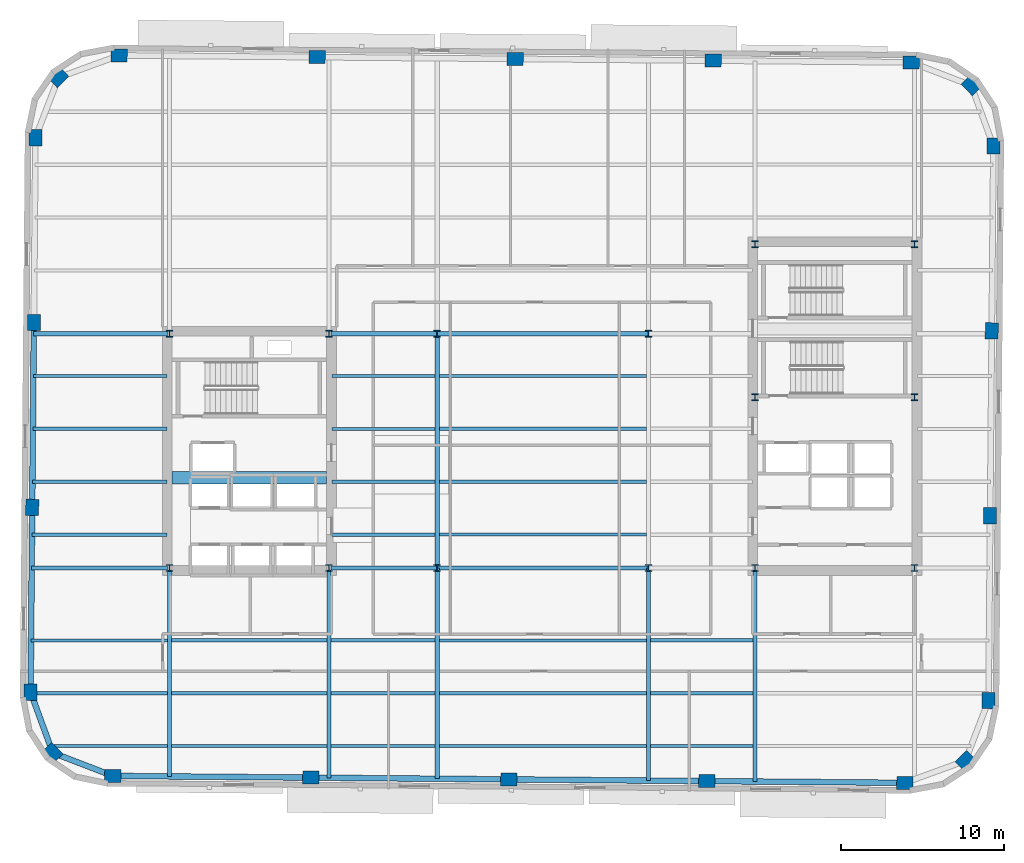
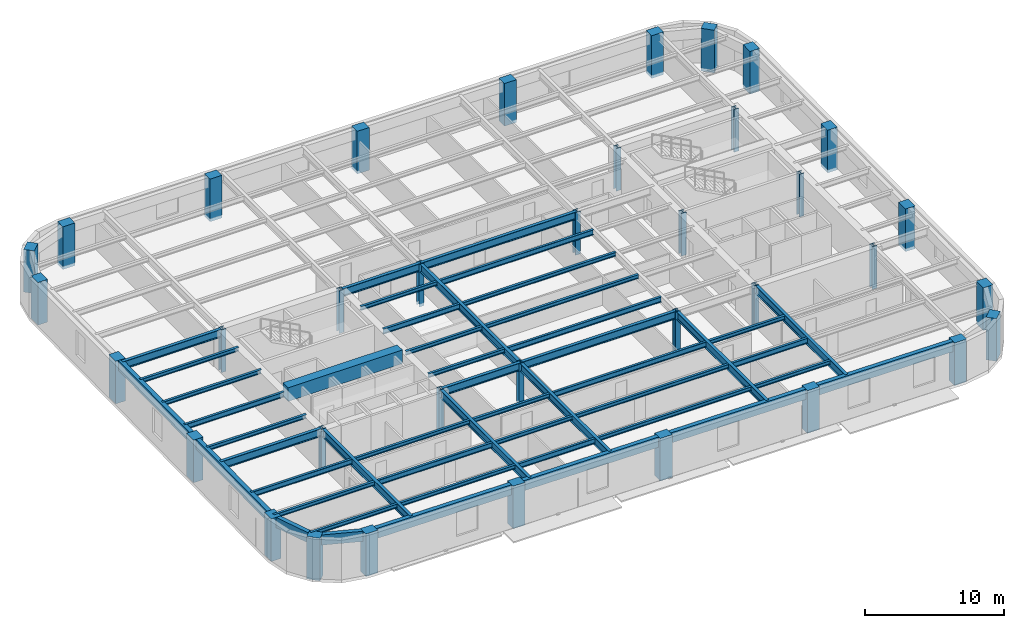
# One storey, part 1 of 11: 48 beams, 36 columns.
"""IFC4 building model written with IfcOpenShell, lengths in metres."""

import ifcopenshell
import ifcopenshell.guid

model = None  # the IFC model being written
_history = None  # IfcOwnerHistory: only IFC2X3 demands one
_inside = {}  # id of a spatial element -> (the spatial element, [elements in it])
_under = {}  # id of a project, library or spatial element -> (it, [spatial elements below it])
_declared = {}  # id of a project -> (the project, [libraries it declares])
_typed = {}  # id of a type object -> (the type object, [elements of that type])
_made_of = {}  # id of a material, layer set ... -> (it, [elements and type objects made of it])


def new_model(schema):
    """Start an empty IFC model of exactly this schema.

    Asked for "IFC4X3", IfcOpenShell would pick the latest addendum, in which some entities
    have other attributes; the version numbers below select the first issue.
    IFC2X3 requires an IfcOwnerHistory on every rooted entity: one is made here for all.
    """
    global model, _history
    if schema == "IFC4X3":
        model = ifcopenshell.file(schema_version=(4, 3, 0, 0))
    else:
        model = ifcopenshell.file(schema=schema)
    _inside.clear()
    _under.clear()
    _declared.clear()
    _typed.clear()
    _made_of.clear()
    _history = None
    if model.schema == "IFC2X3":
        org = make("IfcOrganization", Name="unknown")
        user = make(
            "IfcPersonAndOrganization",
            ThePerson=make("IfcPerson", FamilyName="unknown"),
            TheOrganization=org,
        )
        app = make(
            "IfcApplication",
            ApplicationDeveloper=org,
            Version="unknown",
            ApplicationFullName="unknown",
            ApplicationIdentifier="unknown",
        )
        _history = make(
            "IfcOwnerHistory",
            OwningUser=user,
            OwningApplication=app,
            ChangeAction="ADDED",
            CreationDate=0,
        )
    return model


def make(cls, **values):
    """One entity of the class cls with the attributes given. An attribute that is None is left unset."""
    return model.create_entity(
        cls, **{name: value for name, value in values.items() if value is not None}
    )


def rooted(cls, **values):
    """An entity with a GlobalId (a new one), such as an element, a storey or a relation."""
    return make(cls, GlobalId=ifcopenshell.guid.new(), OwnerHistory=_history, **values)


def si_unit(unit_type, name, prefix=None):
    """IfcSIUnit, for example si_unit("LENGTHUNIT", "METRE", prefix="MILLI")."""
    return make("IfcSIUnit", UnitType=unit_type, Prefix=prefix, Name=name)


def assignment(units):
    """IfcUnitAssignment: the units of a project."""
    return None if units is None else make("IfcUnitAssignment", Units=units)


def point(xyz):
    """IfcCartesianPoint."""
    return None if xyz is None else make("IfcCartesianPoint", Coordinates=xyz)


def direction(xyz):
    """IfcDirection."""
    return None if xyz is None else make("IfcDirection", DirectionRatios=xyz)


def frame(location, z_axis=None, x_axis=None):
    """IfcAxis2Placement3D, a coordinate frame: its origin and axes. An axis left out is left unset."""
    return make(
        "IfcAxis2Placement3D",
        Location=point(location),
        Axis=direction(z_axis),
        RefDirection=direction(x_axis),
    )


def frame_2d(location, x_axis=None):
    """IfcAxis2Placement2D, a coordinate frame in the plane: its origin and x axis."""
    return make(
        "IfcAxis2Placement2D", Location=point(location), RefDirection=direction(x_axis)
    )


def origin():
    """The frame at (0, 0, 0) with its axes left unset."""
    return frame((0.0, 0.0, 0.0))


def origin_2d():
    """The frame at (0, 0) in the plane with its x axis left unset."""
    return frame_2d((0.0, 0.0))


def place(relative_to, where):
    """IfcLocalPlacement: puts the frame where relative to a parent placement (None: the world)."""
    return make(
        "IfcLocalPlacement", PlacementRelTo=relative_to, RelativePlacement=where
    )


def context(
    kind, dimensions, precision=None, world=None, true_north=None, identifier=None
):
    """IfcGeometricRepresentationContext, for example the 3D "Model" context."""
    return make(
        "IfcGeometricRepresentationContext",
        ContextIdentifier=identifier,
        ContextType=kind,
        CoordinateSpaceDimension=dimensions,
        Precision=precision,
        WorldCoordinateSystem=world,
        TrueNorth=true_north,
    )


def subcontext(parent, identifier, kind, view, scale=None):
    """IfcGeometricRepresentationSubContext, for example "Body" below "Model"."""
    return make(
        "IfcGeometricRepresentationSubContext",
        ContextIdentifier=identifier,
        ContextType=kind,
        ParentContext=parent,
        TargetScale=scale,
        TargetView=view,
    )


def project(units=None, contexts=None):
    """IfcProject with its units and contexts."""
    return rooted(
        "IfcProject",
        Name="project",
        RepresentationContexts=contexts,
        UnitsInContext=assignment(units),
    )


def spatial(cls, under=None, at=None, **own):
    """A site, building, storey or space (cls), placed at a placement, below another one or the project."""
    s = rooted(cls, ObjectPlacement=at, **own)
    if under is not None:
        _under.setdefault(under.id(), (under, []))[1].append(s)
    return s


def profile(cls, at=None, kind="AREA", **sizes):
    """A parametric profile (cls). Its sizes go by their IFC names, for example OverallWidth=200.0."""
    return make(cls, ProfileType=kind, Position=at, **sizes)


def rectangle(**sizes):
    """IfcRectangleProfileDef."""
    return profile("IfcRectangleProfileDef", **sizes)


def hollow_rectangle(**sizes):
    """IfcRectangleHollowProfileDef."""
    return profile("IfcRectangleHollowProfileDef", **sizes)


def i_section(**sizes):
    """IfcIShapeProfileDef."""
    return profile("IfcIShapeProfileDef", **sizes)


def extrude(swept, where, along, depth):
    """IfcExtrudedAreaSolid: the profile swept, set in the frame where, extruded along a direction by depth."""
    return make(
        "IfcExtrudedAreaSolid",
        SweptArea=swept,
        Position=where,
        ExtrudedDirection=direction(along),
        Depth=depth,
    )


def shape(context_of_items, identifier, shape_type, items):
    """IfcShapeRepresentation: the items that make up one representation, for example the "Body"."""
    return make(
        "IfcShapeRepresentation",
        ContextOfItems=context_of_items,
        RepresentationIdentifier=identifier,
        RepresentationType=shape_type,
        Items=items,
    )


def material(Name=None, Category=None):
    """IfcMaterial."""
    return make("IfcMaterial", Name=Name, Category=Category)


def material_profile(
    of_material, cross_section, Name=None, Category=None, Priority=None
):
    """IfcMaterialProfile: a cross section and its material."""
    return make(
        "IfcMaterialProfile",
        Name=Name,
        Material=of_material,
        Profile=cross_section,
        Priority=Priority,
        Category=Category,
    )


def profile_set(profiles, Name=None, composite=None):
    """IfcMaterialProfileSet."""
    return make(
        "IfcMaterialProfileSet",
        Name=Name,
        MaterialProfiles=profiles,
        CompositeProfile=composite,
    )


def made_of(thing, what):
    """Note that an element or type object is made of a material, layer set ...; save() writes the relation."""
    if what is not None:
        _made_of.setdefault(what.id(), (what, []))[1].append(thing)
    return thing


def type_object(cls, material=None, **own):
    """A type object (cls), such as IfcWallType, which elements share."""
    return made_of(rooted(cls, **own), material)


def element(
    cls,
    number,
    at=None,
    inside=None,
    cuts=None,
    type_object=None,
    material=None,
    context=None,
    identifier="Body",
    shape_type=None,
    held_by="IfcProductDefinitionShape",
    body=None,
    shapes=None,
    **own,
):
    """One element of the class cls, such as IfcWall. Its Tag is "e" and its number.

    at: its placement. inside: the storey or other place that contains it. cuts: it is an
    opening in that element (IfcRelVoidsElement). A single representation is given by context,
    identifier, shape_type and body (its items); several are given by shapes. held_by: the class
    of the entity that holds the representations. save() writes the other relations.
    """
    e = rooted(cls, Tag="e%d" % number, ObjectPlacement=at, **own)
    if body is not None:
        shapes = [shape(context, identifier, shape_type, body)]
    if shapes is not None:
        e.Representation = make(held_by, Representations=shapes)
    if inside is not None:
        _inside.setdefault(inside.id(), (inside, []))[1].append(e)
    if cuts is not None:
        rooted(
            "IfcRelVoidsElement", RelatingBuildingElement=cuts, RelatedOpeningElement=e
        )
    if type_object is not None:
        _typed.setdefault(type_object.id(), (type_object, []))[1].append(e)
    return made_of(e, material)


def aggregate(whole, parts):
    """IfcRelAggregates: a whole, such as a stair, and the parts it consists of."""
    return rooted("IfcRelAggregates", RelatingObject=whole, RelatedObjects=parts)


def save(model, path):
    """Write the relations noted so far, then the file.

    IfcRelAggregates (storeys below a building ...), IfcRelContainedInSpatialStructure (elements
    in a storey), IfcRelDefinesByType, IfcRelAssociatesMaterial and IfcRelDeclares: one each for
    every whole, place, type object, material and project.
    """
    for whole, parts in _under.values():
        aggregate(whole, parts)
    for where, things in _inside.values():
        rooted(
            "IfcRelContainedInSpatialStructure",
            RelatedElements=things,
            RelatingStructure=where,
        )
    for kind, things in _typed.values():
        rooted("IfcRelDefinesByType", RelatedObjects=things, RelatingType=kind)
    for what, things in _made_of.values():
        rooted("IfcRelAssociatesMaterial", RelatedObjects=things, RelatingMaterial=what)
    for by, libraries in _declared.values():
        rooted("IfcRelDeclares", RelatingContext=by, RelatedDefinitions=libraries)
    model.write(path)


model = new_model("IFC4")

# Units and contexts
model_context = context("Model", 3, precision=1e-05, world=origin(), true_north=direction((0.0, 1.0)))
body_context = subcontext(model_context, "Body", "Model", "MODEL_VIEW")
ifc_project = project(units=[si_unit("LENGTHUNIT", "METRE"), si_unit("AREAUNIT", "SQUARE_METRE"), si_unit("VOLUMEUNIT", "CUBIC_METRE"), si_unit("PLANEANGLEUNIT", "RADIAN"), si_unit("MASSUNIT", "GRAM", prefix="KILO")], contexts=[model_context])

# Site, building, storey
site_placement = place(None, origin())
site = spatial("IfcSite", under=ifc_project, at=site_placement, CompositionType="ELEMENT")
building_placement = place(site_placement, origin())
building = spatial("IfcBuilding", under=site, at=building_placement, Name="Kolvaren Arena Tower", CompositionType="ELEMENT")
storey_placement = place(building_placement, frame((0.0, 0.0, 169.699951171875)))
storey = spatial("IfcBuildingStorey", under=building, at=storey_placement, Name="L40", CompositionType="ELEMENT", Elevation=169.699951171875)

# Columns
ifc_material_1 = material(Name="Precast concrete C60/75", Category="concrete")
ifc_material_profile_1 = material_profile(ifc_material_1, rectangle(XDim=1.0, YDim=0.800048828125, at=origin_2d()), Name="RC-1000x800")
ifc_profile_set_1 = profile_set([ifc_material_profile_1], Name="Precast concrete C60/75")
column_type_1 = type_object("IfcColumnType", Name="EXCOL-Z3", PredefinedType="COLUMN", material=ifc_profile_set_1)
for number, where, z_axis, x_axis, name in (
    (1, (11.0576171875, 6.663330078125, -0.27001953125), (0.0, 0.0, 1.0), (0.999961923064, -0.008726535498, 0.0), "Exoskeleton Perimeter Column 01 (L40)"),
    (2, (23.232177734375, 6.55712890625, -0.27001953125), (0.0, 0.0, 1.0), (0.999961923064, -0.008726535498, 0.0), "Exoskeleton Perimeter Column 02 (L40)"),
    (3, (35.40673828125, 6.45068359375, -0.27001953125), (0.0, 0.0, 1.0), (0.999961923064, -0.008726535498, 0.0), "Exoskeleton Perimeter Column 03 (L40)"),
    (4, (47.581298828125, 6.344482421875, -0.27001953125), (0.0, 0.0, 1.0), (0.999961923064, -0.008726535498, 0.0), "Exoskeleton Perimeter Column 04 (L40)"),
    (5, (59.755859375, 6.23828125, -0.27001953125), (0.0, 0.0, 1.0), (0.999961923064, -0.008726535498, 0.0), "Exoskeleton Perimeter Column 05 (L40)"),
    (6, (63.4765625, 7.59716796875, -0.27001953125), (0.0, 0.0, 1.0), (0.713250449154, 0.7009092643, 0.0), "Exoskeleton Perimeter Column 06 (L40)"),
    (7, (64.900146484375, 11.293701171875, -0.27001953125), (0.0, 0.0, 1.0), (0.008726535498, 0.999961923064, 0.0), "Exoskeleton Perimeter Column 07 (L40)"),
    (8, (64.999267578125, 22.659912109375, -0.27001953125), (0.0, 0.0, 1.0), (0.008726535498, 0.999961923064, 0.0), "Exoskeleton Perimeter Column 08 (L40)"),
    (9, (65.098388671875, 34.026123046875, -0.27001953125), (0.0, 0.0, 1.0), (0.008726535498, 0.999961923064, 0.0), "Exoskeleton Perimeter Column 09 (L40)"),
    (10, (65.19775390625, 45.392333984375, -0.27001953125), (0.0, 0.0, 1.0), (0.008726535498, 0.999961923064, 0.0), "Exoskeleton Perimeter Column 10 (L40)"),
    (11, (63.8388671875, 49.113037109375, -0.27001953125), (0.0, 0.0, 1.0), (-0.7009092643, 0.713250449154, 0.0), "Exoskeleton Perimeter Column 11 (L40)"),
    (12, (60.142333984375, 50.53662109375, -0.27001953125), (0.0, 0.0, 1.0), (0.999961923064, -0.008726535498, 0.0), "Exoskeleton Perimeter Column 12 (L40)"),
    (13, (47.9677734375, 50.642822265625, -0.27001953125), (0.0, 0.0, 1.0), (0.999961923064, -0.008726535498, 0.0), "Exoskeleton Perimeter Column 13 (L40)"),
    (14, (35.793212890625, 50.749267578125, -0.27001953125), (0.0, 0.0, 1.0), (0.999961923064, -0.008726535498, 0.0), "Exoskeleton Perimeter Column 14 (L40)"),
    (15, (23.618896484375, 50.85546875, -0.27001953125), (0.0, 0.0, 1.0), (0.999961923064, -0.008726535498, 0.0), "Exoskeleton Perimeter Column 15 (L40)"),
    (16, (11.444091796875, 50.961669921875, -0.27001953125), (0.0, 0.0, 1.0), (0.999961923064, -0.008726535498, 0.0), "Exoskeleton Perimeter Column 16 (L40)"),
    (17, (7.723388671875, 49.602783203125, -0.27001953125), (0.0, 0.0, 1.0), (0.713250449154, 0.7009092643, 0.0), "Exoskeleton Perimeter Column 17 (L40)"),
    (18, (6.2998046875, 45.90625, -0.27001953125), (0.0, 0.0, 1.0), (0.008726535498, 0.999961923064, 0.0), "Exoskeleton Perimeter Column 18 (L40)"),
    (19, (6.20068359375, 34.5400390625, -0.27001953125), (0.0, 0.0, 1.0), (0.008726535498, 0.999961923064, 0.0), "Exoskeleton Perimeter Column 19 (L40)"),
    (20, (6.1015625, 23.173828125, -0.27001953125), (0.0, 0.0, 1.0), (0.008726535498, 0.999961923064, 0.0), "Exoskeleton Perimeter Column 20 (L40)"),
    (21, (6.002197265625, 11.8076171875, -0.27001953125), (0.0, 0.0, 1.0), (0.008726535498, 0.999961923064, 0.0), "Exoskeleton Perimeter Column 21 (L40)"),
    (22, (7.361083984375, 8.0869140625, -0.27001953125), (0.0, 0.0, 1.0), (-0.7009092643, 0.713250449154, 0.0), "Exoskeleton Perimeter Column 22 (L40)"),
):
    element("IfcColumn", number, at=place(storey_placement, frame(where, z_axis=z_axis, x_axis=x_axis)), inside=storey, type_object=column_type_1, Name=name, PredefinedType="COLUMN", context=body_context, shape_type="SweptSolid", body=[
        extrude(rectangle(XDim=1.0, YDim=0.800048828125, at=origin_2d()), origin(), (0.0, 0.0, 1.0), 3.75),
    ])
ifc_material_2 = material(Name="Steel ASTM A913 Grade 65", Category="steel")
ifc_material_profile_2 = material_profile(ifc_material_2, i_section(OverallWidth=0.406005859375, OverallDepth=0.416015625, WebThickness=0.02978515625, FlangeThickness=0.048095703125, FilletRadius=0.02001953125, at=origin_2d()), Name="W360x382")
ifc_profile_set_2 = profile_set([ifc_material_profile_2], Name="Steel ASTM A913 Grade 65")
column_type_2 = type_object("IfcColumnType", Name="SCOL-Z3", PredefinedType="COLUMN", material=ifc_profile_set_2)
for number, where, z_axis, x_axis, name in (
    (23, (14.550048828125, 19.449951171875, -0.27001953125), (0.0, 0.0, 1.0), (1.0, 0.0, 0.0), "Core Boundary Column WC-SW (L40)"),
    (24, (24.35009765625, 19.449951171875, -0.27001953125), (0.0, 0.0, 1.0), (1.0, 0.0, 0.0), "Core Boundary Column WC-SE (L40)"),
    (25, (14.550048828125, 33.85009765625, -0.27001953125), (0.0, 0.0, 1.0), (1.0, 0.0, 0.0), "Core Boundary Column WC-NW (L40)"),
    (26, (24.35009765625, 33.85009765625, -0.27001953125), (0.0, 0.0, 1.0), (1.0, 0.0, 0.0), "Core Boundary Column WC-NE (L40)"),
    (27, (50.550048828125, 19.449951171875, -0.27001953125), (0.0, 0.0, 1.0), (1.0, 0.0, 0.0), "Core Boundary Column EC-SW (L40)"),
    (28, (60.35009765625, 19.449951171875, -0.27001953125), (0.0, 0.0, 1.0), (1.0, 0.0, 0.0), "Core Boundary Column EC-SE (L40)"),
    (29, (50.550048828125, 29.949951171875, -0.27001953125), (0.0, 0.0, 1.0), (1.0, 0.0, 0.0), "Core Boundary Column EC-MW (L40)"),
    (30, (60.35009765625, 29.949951171875, -0.27001953125), (0.0, 0.0, 1.0), (1.0, 0.0, 0.0), "Core Boundary Column EC-ME (L40)"),
    (31, (50.550048828125, 39.35009765625, -0.27001953125), (0.0, 0.0, 1.0), (1.0, 0.0, 0.0), "Core Boundary Column EC-NW (L40)"),
    (32, (60.35009765625, 39.35009765625, -0.27001953125), (0.0, 0.0, 1.0), (1.0, 0.0, 0.0), "Core Boundary Column EC-NE (L40)"),
    (33, (31.0, 19.449951171875, -0.27001953125), (0.0, 0.0, 1.0), (1.0, 0.0, 0.0), "Interior Gravity Column TC-SW (L40)"),
    (34, (44.0, 19.449951171875, -0.27001953125), (0.0, 0.0, 1.0), (1.0, 0.0, 0.0), "Interior Gravity Column TC-SE (L40)"),
    (35, (31.0, 33.85009765625, -0.27001953125), (0.0, 0.0, 1.0), (1.0, 0.0, 0.0), "Interior Gravity Column TC-NW (L40)"),
    (36, (44.0, 33.85009765625, -0.27001953125), (0.0, 0.0, 1.0), (1.0, 0.0, 0.0), "Interior Gravity Column TC-NE (L40)"),
):
    element("IfcColumn", number, at=place(storey_placement, frame(where, z_axis=z_axis, x_axis=x_axis)), inside=storey, type_object=column_type_2, Name=name, PredefinedType="COLUMN", context=body_context, shape_type="SweptSolid", body=[
        extrude(i_section(OverallWidth=0.406005859375, OverallDepth=0.416015625, WebThickness=0.02978515625, FlangeThickness=0.048095703125, FilletRadius=0.02001953125, at=origin_2d()), origin(), (0.0, 0.0, 1.0), 3.75),
    ])

# Beams
ifc_material_3 = material(Name="Steel CSA G40.21 350W", Category="steel")
ifc_material_profile_3 = material_profile(ifc_material_3, i_section(OverallWidth=0.193115234375, OverallDepth=0.462890625, WebThickness=0.0107421875, FlangeThickness=0.0205078125, FilletRadius=0.012939453125, at=origin_2d()), Name="W460x113")
ifc_profile_set_3 = profile_set([ifc_material_profile_3], Name="Steel CSA G40.21 350W")
beam_type_1 = type_object("IfcBeamType", Name="BEAM-F2", PredefinedType="BEAM", material=ifc_profile_set_3)
beam_1_placement = place(storey_placement, frame((24.4775390625, 8.5, 3.24853515625), z_axis=(1.0, 0.0, 0.0), x_axis=(0.0, 1.0, 0.0)))
element("IfcBeam", 37, at=beam_1_placement, inside=storey, type_object=beam_type_1, Name="Composite Floor Beam (L40)", PredefinedType="BEAM", context=body_context, shape_type="SweptSolid", body=[
    extrude(i_section(OverallWidth=0.193115234375, OverallDepth=0.462890625, WebThickness=0.0107421875, FlangeThickness=0.0205078125, FilletRadius=0.012939453125, at=origin_2d()), origin(), (0.0, 0.0, 1.0), 6.39501953125),
])
beam_2_placement = place(storey_placement, frame((14.677490234375, 11.75, 3.24853515625), z_axis=(1.0, 0.0, 0.0), x_axis=(0.0, 1.0, 0.0)))
element("IfcBeam", 38, at=beam_2_placement, inside=storey, type_object=beam_type_1, Name="Composite Floor Beam (L40)", PredefinedType="BEAM", context=body_context, shape_type="SweptSolid", body=[
    extrude(i_section(OverallWidth=0.193115234375, OverallDepth=0.462890625, WebThickness=0.0107421875, FlangeThickness=0.0205078125, FilletRadius=0.012939453125, at=origin_2d()), origin(), (0.0, 0.0, 1.0), 9.544921875),
])
beam_3_placement = place(storey_placement, frame((44.12744140625, 11.75, 3.24853515625), z_axis=(1.0, 0.0, 0.0), x_axis=(0.0, 1.0, 0.0)))
element("IfcBeam", 39, at=beam_3_placement, inside=storey, type_object=beam_type_1, Name="Composite Floor Beam (L40)", PredefinedType="BEAM", context=body_context, shape_type="SweptSolid", body=[
    extrude(i_section(OverallWidth=0.193115234375, OverallDepth=0.462890625, WebThickness=0.0107421875, FlangeThickness=0.0205078125, FilletRadius=0.012939453125, at=origin_2d()), origin(), (0.0, 0.0, 1.0), 6.295166015625),
])
beam_4_placement = place(storey_placement, frame((6.0302734375, 15.0, 3.24853515625), z_axis=(1.0, 0.0, 0.0), x_axis=(0.0, 1.0, 0.0)))
element("IfcBeam", 40, at=beam_4_placement, inside=storey, type_object=beam_type_1, Name="Composite Floor Beam (L40)", PredefinedType="BEAM", context=body_context, shape_type="SweptSolid", body=[
    extrude(i_section(OverallWidth=0.193115234375, OverallDepth=0.462890625, WebThickness=0.0107421875, FlangeThickness=0.0205078125, FilletRadius=0.012939453125, at=origin_2d()), origin(), (0.0, 0.0, 1.0), 8.392333984375),
])
for number, where, z_axis, x_axis, name in (
    (41, (31.12744140625, 15.0, 3.24853515625), (1.0, 0.0, 0.0), (0.0, 1.0, 0.0), "Composite Floor Beam (L40)"),
    (42, (31.12744140625, 21.5, 3.24853515625), (1.0, 0.0, 0.0), (0.0, 1.0, 0.0), "Composite Floor Beam (L40)"),
):
    element("IfcBeam", number, at=place(storey_placement, frame(where, z_axis=z_axis, x_axis=x_axis)), inside=storey, type_object=beam_type_1, Name=name, PredefinedType="BEAM", context=body_context, shape_type="SweptSolid", body=[
        extrude(i_section(OverallWidth=0.193115234375, OverallDepth=0.462890625, WebThickness=0.0107421875, FlangeThickness=0.0205078125, FilletRadius=0.012939453125, at=origin_2d()), origin(), (0.0, 0.0, 1.0), 12.7451171875),
    ])
beam_5_placement = place(storey_placement, frame((6.115234375, 24.75, 3.24853515625), z_axis=(1.0, 0.0, 0.0), x_axis=(0.0, 1.0, 0.0)))
element("IfcBeam", 43, at=beam_5_placement, inside=storey, type_object=beam_type_1, Name="Composite Floor Beam (L40)", PredefinedType="BEAM", context=body_context, shape_type="SweptSolid", body=[
    extrude(i_section(OverallWidth=0.193115234375, OverallDepth=0.462890625, WebThickness=0.0107421875, FlangeThickness=0.0205078125, FilletRadius=0.012939453125, at=origin_2d()), origin(), (0.0, 0.0, 1.0), 8.2646484375),
])
beam_6_placement = place(storey_placement, frame((24.52001953125, 28.0, 3.24853515625), z_axis=(1.0, 0.0, 0.0), x_axis=(0.0, 1.0, 0.0)))
element("IfcBeam", 44, at=beam_6_placement, inside=storey, type_object=beam_type_1, Name="Composite Floor Beam (L40)", PredefinedType="BEAM", context=body_context, shape_type="SweptSolid", body=[
    extrude(i_section(OverallWidth=0.193115234375, OverallDepth=0.462890625, WebThickness=0.0107421875, FlangeThickness=0.0205078125, FilletRadius=0.012939453125, at=origin_2d()), origin(), (0.0, 0.0, 1.0), 6.3525390625),
])
beam_7_placement = place(storey_placement, frame((31.12744140625, 31.25, 3.24853515625), z_axis=(1.0, 0.0, 0.0), x_axis=(0.0, 1.0, 0.0)))
element("IfcBeam", 45, at=beam_7_placement, inside=storey, type_object=beam_type_1, Name="Composite Floor Beam (L40)", PredefinedType="BEAM", context=body_context, shape_type="SweptSolid", body=[
    extrude(i_section(OverallWidth=0.193115234375, OverallDepth=0.462890625, WebThickness=0.0107421875, FlangeThickness=0.0205078125, FilletRadius=0.012939453125, at=origin_2d()), origin(), (0.0, 0.0, 1.0), 12.7451171875),
])
ifc_material_4 = material(Name="Concrete 60 MPa", Category="concrete")
ifc_material_profile_4 = material_profile(ifc_material_4, rectangle(XDim=0.75, YDim=1.199951171875, at=origin_2d()), Name="RC-750x1200")
ifc_profile_set_4 = profile_set([ifc_material_profile_4], Name="Concrete 60 MPa")
beam_type_2 = type_object("IfcBeamType", Name="CB-CORE-2", PredefinedType="BEAM", material=ifc_profile_set_4)
beam_8_placement = place(storey_placement, frame((14.699951171875, 25.0, 3.150146484375), z_axis=(1.0, 0.0, 0.0), x_axis=(0.0, 1.0, 0.0)))
element("IfcBeam", 46, at=beam_8_placement, inside=storey, type_object=beam_type_2, Name="West Core Coupling Beam (L40)", PredefinedType="BEAM", context=body_context, shape_type="SweptSolid", body=[
    extrude(rectangle(XDim=0.75, YDim=1.199951171875, at=origin_2d()), origin(), (0.0, 0.0, 1.0), 9.5),
])
ifc_material_profile_5 = material_profile(ifc_material_3, i_section(OverallWidth=0.2548828125, OverallDepth=0.695068359375, WebThickness=0.01708984375, FlangeThickness=0.02978515625, FilletRadius=0.01611328125, at=origin_2d()), Name="W690x217")
ifc_profile_set_5 = profile_set([ifc_material_profile_5], Name="Steel CSA G40.21 350W")
beam_type_3 = type_object("IfcBeamType", Name="GIRD-T2", PredefinedType="BEAM", material=ifc_profile_set_5)
beam_9_placement = place(storey_placement, frame((6.069091796875, 19.449951171875, 3.132568359375), z_axis=(1.0, 0.0, 0.0), x_axis=(0.0, 1.0, 0.0)))
element("IfcBeam", 47, at=beam_9_placement, inside=storey, type_object=beam_type_3, Name="Primary Floor Girder (L40)", PredefinedType="BEAM", context=body_context, shape_type="SweptSolid", body=[
    extrude(i_section(OverallWidth=0.2548828125, OverallDepth=0.695068359375, WebThickness=0.01708984375, FlangeThickness=0.02978515625, FilletRadius=0.01611328125, at=origin_2d()), origin(), (0.0, 0.0, 1.0), 8.350830078125),
])
beam_10_placement = place(storey_placement, frame((24.47998046875, 19.449951171875, 3.132568359375), z_axis=(1.0, 0.0, 0.0), x_axis=(0.0, 1.0, 0.0)))
element("IfcBeam", 48, at=beam_10_placement, inside=storey, type_object=beam_type_3, Name="Primary Floor Girder (L40)", PredefinedType="BEAM", context=body_context, shape_type="SweptSolid", body=[
    extrude(i_section(OverallWidth=0.2548828125, OverallDepth=0.695068359375, WebThickness=0.01708984375, FlangeThickness=0.02978515625, FilletRadius=0.01611328125, at=origin_2d()), origin(), (0.0, 0.0, 1.0), 6.52001953125),
])
beam_11_placement = place(storey_placement, frame((31.0, 19.449951171875, 3.132568359375), z_axis=(1.0, 0.0, 0.0), x_axis=(0.0, 1.0, 0.0)))
element("IfcBeam", 49, at=beam_11_placement, inside=storey, type_object=beam_type_3, Name="Primary Floor Girder (L40)", PredefinedType="BEAM", context=body_context, shape_type="SweptSolid", body=[
    extrude(i_section(OverallWidth=0.2548828125, OverallDepth=0.695068359375, WebThickness=0.01708984375, FlangeThickness=0.02978515625, FilletRadius=0.01611328125, at=origin_2d()), origin(), (0.0, 0.0, 1.0), 13.0),
])
beam_12_placement = place(storey_placement, frame((6.194580078125, 33.85009765625, 3.132568359375), z_axis=(1.0, 0.0, 0.0), x_axis=(0.0, 1.0, 0.0)))
element("IfcBeam", 50, at=beam_12_placement, inside=storey, type_object=beam_type_3, Name="Primary Floor Girder (L40)", PredefinedType="BEAM", context=body_context, shape_type="SweptSolid", body=[
    extrude(i_section(OverallWidth=0.2548828125, OverallDepth=0.695068359375, WebThickness=0.01708984375, FlangeThickness=0.02978515625, FilletRadius=0.01611328125, at=origin_2d()), origin(), (0.0, 0.0, 1.0), 8.225341796875),
])
beam_13_placement = place(storey_placement, frame((24.47998046875, 33.85009765625, 3.132568359375), z_axis=(1.0, 0.0, 0.0), x_axis=(0.0, 1.0, 0.0)))
element("IfcBeam", 51, at=beam_13_placement, inside=storey, type_object=beam_type_3, Name="Primary Floor Girder (L40)", PredefinedType="BEAM", context=body_context, shape_type="SweptSolid", body=[
    extrude(i_section(OverallWidth=0.2548828125, OverallDepth=0.695068359375, WebThickness=0.01708984375, FlangeThickness=0.02978515625, FilletRadius=0.01611328125, at=origin_2d()), origin(), (0.0, 0.0, 1.0), 6.52001953125),
])
beam_14_placement = place(storey_placement, frame((31.0, 33.85009765625, 3.132568359375), z_axis=(1.0, 0.0, 0.0), x_axis=(0.0, 1.0, 0.0)))
element("IfcBeam", 52, at=beam_14_placement, inside=storey, type_object=beam_type_3, Name="Primary Floor Girder (L40)", PredefinedType="BEAM", context=body_context, shape_type="SweptSolid", body=[
    extrude(i_section(OverallWidth=0.2548828125, OverallDepth=0.695068359375, WebThickness=0.01708984375, FlangeThickness=0.02978515625, FilletRadius=0.01611328125, at=origin_2d()), origin(), (0.0, 0.0, 1.0), 13.0),
])
beam_15_placement = place(storey_placement, frame((14.550048828125, 6.6328125, 3.132568359375), z_axis=(0.0, 1.0, 0.0), x_axis=(-1.0, 0.0, 0.0)))
element("IfcBeam", 53, at=beam_15_placement, inside=storey, type_object=beam_type_3, Name="Primary Floor Girder (L40)", PredefinedType="BEAM", context=body_context, shape_type="SweptSolid", body=[
    extrude(i_section(OverallWidth=0.2548828125, OverallDepth=0.695068359375, WebThickness=0.01708984375, FlangeThickness=0.02978515625, FilletRadius=0.01611328125, at=origin_2d()), origin(), (0.0, 0.0, 1.0), 12.687255859375),
])
beam_16_placement = place(storey_placement, frame((24.35009765625, 6.54736328125, 3.132568359375), z_axis=(0.0, 1.0, 0.0), x_axis=(-1.0, 0.0, 0.0)))
element("IfcBeam", 54, at=beam_16_placement, inside=storey, type_object=beam_type_3, Name="Primary Floor Girder (L40)", PredefinedType="BEAM", context=body_context, shape_type="SweptSolid", body=[
    extrude(i_section(OverallWidth=0.2548828125, OverallDepth=0.695068359375, WebThickness=0.01708984375, FlangeThickness=0.02978515625, FilletRadius=0.01611328125, at=origin_2d()), origin(), (0.0, 0.0, 1.0), 12.772705078125),
])
beam_17_placement = place(storey_placement, frame((31.0, 6.4892578125, 3.132568359375), z_axis=(0.0, 1.0, 0.0), x_axis=(-1.0, 0.0, 0.0)))
element("IfcBeam", 55, at=beam_17_placement, inside=storey, type_object=beam_type_3, Name="Primary Floor Girder (L40)", PredefinedType="BEAM", context=body_context, shape_type="SweptSolid", body=[
    extrude(i_section(OverallWidth=0.2548828125, OverallDepth=0.695068359375, WebThickness=0.01708984375, FlangeThickness=0.02978515625, FilletRadius=0.01611328125, at=origin_2d()), origin(), (0.0, 0.0, 1.0), 12.960693359375),
])
beam_18_placement = place(storey_placement, frame((31.0, 19.449951171875, 3.132568359375), z_axis=(0.0, 1.0, 0.0), x_axis=(-1.0, 0.0, 0.0)))
element("IfcBeam", 56, at=beam_18_placement, inside=storey, type_object=beam_type_3, Name="Primary Floor Girder (L40)", PredefinedType="BEAM", context=body_context, shape_type="SweptSolid", body=[
    extrude(i_section(OverallWidth=0.2548828125, OverallDepth=0.695068359375, WebThickness=0.01708984375, FlangeThickness=0.02978515625, FilletRadius=0.01611328125, at=origin_2d()), origin(), (0.0, 0.0, 1.0), 14.400146484375),
])
beam_19_placement = place(storey_placement, frame((44.0, 6.375732421875, 3.132568359375), z_axis=(0.0, 1.0, 0.0), x_axis=(-1.0, 0.0, 0.0)))
element("IfcBeam", 57, at=beam_19_placement, inside=storey, type_object=beam_type_3, Name="Primary Floor Girder (L40)", PredefinedType="BEAM", context=body_context, shape_type="SweptSolid", body=[
    extrude(i_section(OverallWidth=0.2548828125, OverallDepth=0.695068359375, WebThickness=0.01708984375, FlangeThickness=0.02978515625, FilletRadius=0.01611328125, at=origin_2d()), origin(), (0.0, 0.0, 1.0), 13.07421875),
])
beam_20_placement = place(storey_placement, frame((50.550048828125, 6.318603515625, 3.132568359375), z_axis=(0.0, 1.0, 0.0), x_axis=(-1.0, 0.0, 0.0)))
element("IfcBeam", 58, at=beam_20_placement, inside=storey, type_object=beam_type_3, Name="Primary Floor Girder (L40)", PredefinedType="BEAM", context=body_context, shape_type="SweptSolid", body=[
    extrude(i_section(OverallWidth=0.2548828125, OverallDepth=0.695068359375, WebThickness=0.01708984375, FlangeThickness=0.02978515625, FilletRadius=0.01611328125, at=origin_2d()), origin(), (0.0, 0.0, 1.0), 13.00146484375),
])
ifc_material_profile_6 = material_profile(ifc_material_3, i_section(OverallWidth=0.202880859375, OverallDepth=0.346923828125, WebThickness=0.0078125, FlangeThickness=0.013427734375, FilletRadius=0.010986328125, at=origin_2d()), Name="W360x64")
ifc_profile_set_6 = profile_set([ifc_material_profile_6], Name="Steel CSA G40.21 350W")
beam_type_4 = type_object("IfcBeamType", Name="JOIST-01", PredefinedType="JOIST", material=ifc_profile_set_6)
beam_21_placement = place(storey_placement, frame((7.210205078125, 8.5, 3.306640625), z_axis=(1.0, 0.0, 0.0), x_axis=(0.0, 1.0, 0.0)))
element("IfcBeam", 59, at=beam_21_placement, inside=storey, type_object=beam_type_4, Name="Composite Floor Joist (L40)", PredefinedType="JOIST", context=body_context, shape_type="SweptSolid", body=[
    extrude(i_section(OverallWidth=0.202880859375, OverallDepth=0.346923828125, WebThickness=0.0078125, FlangeThickness=0.013427734375, FilletRadius=0.010986328125, at=origin_2d()), origin(), (0.0, 0.0, 1.0), 7.21240234375),
])
beam_22_placement = place(storey_placement, frame((14.677490234375, 8.5, 3.306640625), z_axis=(1.0, 0.0, 0.0), x_axis=(0.0, 1.0, 0.0)))
element("IfcBeam", 60, at=beam_22_placement, inside=storey, type_object=beam_type_4, Name="Composite Floor Joist (L40)", PredefinedType="JOIST", context=body_context, shape_type="SweptSolid", body=[
    extrude(i_section(OverallWidth=0.202880859375, OverallDepth=0.346923828125, WebThickness=0.0078125, FlangeThickness=0.013427734375, FilletRadius=0.010986328125, at=origin_2d()), origin(), (0.0, 0.0, 1.0), 9.544921875),
])
beam_23_placement = place(storey_placement, frame((31.12744140625, 8.5, 3.306640625), z_axis=(1.0, 0.0, 0.0), x_axis=(0.0, 1.0, 0.0)))
element("IfcBeam", 61, at=beam_23_placement, inside=storey, type_object=beam_type_4, Name="Composite Floor Joist (L40)", PredefinedType="JOIST", context=body_context, shape_type="SweptSolid", body=[
    extrude(i_section(OverallWidth=0.202880859375, OverallDepth=0.346923828125, WebThickness=0.0078125, FlangeThickness=0.013427734375, FilletRadius=0.010986328125, at=origin_2d()), origin(), (0.0, 0.0, 1.0), 12.7451171875),
])
beam_24_placement = place(storey_placement, frame((44.12744140625, 8.5, 3.306640625), z_axis=(1.0, 0.0, 0.0), x_axis=(0.0, 1.0, 0.0)))
element("IfcBeam", 62, at=beam_24_placement, inside=storey, type_object=beam_type_4, Name="Composite Floor Joist (L40)", PredefinedType="JOIST", context=body_context, shape_type="SweptSolid", body=[
    extrude(i_section(OverallWidth=0.202880859375, OverallDepth=0.346923828125, WebThickness=0.0078125, FlangeThickness=0.013427734375, FilletRadius=0.010986328125, at=origin_2d()), origin(), (0.0, 0.0, 1.0), 6.295166015625),
])
beam_25_placement = place(storey_placement, frame((6.023193359375, 11.75, 3.306640625), z_axis=(1.0, 0.0, 0.0), x_axis=(0.0, 1.0, 0.0)))
element("IfcBeam", 63, at=beam_25_placement, inside=storey, type_object=beam_type_4, Name="Composite Floor Joist (L40)", PredefinedType="JOIST", context=body_context, shape_type="SweptSolid", body=[
    extrude(i_section(OverallWidth=0.202880859375, OverallDepth=0.346923828125, WebThickness=0.0078125, FlangeThickness=0.013427734375, FilletRadius=0.010986328125, at=origin_2d()), origin(), (0.0, 0.0, 1.0), 8.3994140625),
])
beam_26_placement = place(storey_placement, frame((24.4775390625, 11.75, 3.306640625), z_axis=(1.0, 0.0, 0.0), x_axis=(0.0, 1.0, 0.0)))
element("IfcBeam", 64, at=beam_26_placement, inside=storey, type_object=beam_type_4, Name="Composite Floor Joist (L40)", PredefinedType="JOIST", context=body_context, shape_type="SweptSolid", body=[
    extrude(i_section(OverallWidth=0.202880859375, OverallDepth=0.346923828125, WebThickness=0.0078125, FlangeThickness=0.013427734375, FilletRadius=0.010986328125, at=origin_2d()), origin(), (0.0, 0.0, 1.0), 6.39501953125),
])
beam_27_placement = place(storey_placement, frame((31.12744140625, 11.75, 3.306640625), z_axis=(1.0, 0.0, 0.0), x_axis=(0.0, 1.0, 0.0)))
element("IfcBeam", 65, at=beam_27_placement, inside=storey, type_object=beam_type_4, Name="Composite Floor Joist (L40)", PredefinedType="JOIST", context=body_context, shape_type="SweptSolid", body=[
    extrude(i_section(OverallWidth=0.202880859375, OverallDepth=0.346923828125, WebThickness=0.0078125, FlangeThickness=0.013427734375, FilletRadius=0.010986328125, at=origin_2d()), origin(), (0.0, 0.0, 1.0), 12.7451171875),
])
beam_28_placement = place(storey_placement, frame((14.677490234375, 15.0, 3.306640625), z_axis=(1.0, 0.0, 0.0), x_axis=(0.0, 1.0, 0.0)))
element("IfcBeam", 66, at=beam_28_placement, inside=storey, type_object=beam_type_4, Name="Composite Floor Joist (L40)", PredefinedType="JOIST", context=body_context, shape_type="SweptSolid", body=[
    extrude(i_section(OverallWidth=0.202880859375, OverallDepth=0.346923828125, WebThickness=0.0078125, FlangeThickness=0.013427734375, FilletRadius=0.010986328125, at=origin_2d()), origin(), (0.0, 0.0, 1.0), 9.544921875),
])
beam_29_placement = place(storey_placement, frame((24.4775390625, 15.0, 3.306640625), z_axis=(1.0, 0.0, 0.0), x_axis=(0.0, 1.0, 0.0)))
element("IfcBeam", 67, at=beam_29_placement, inside=storey, type_object=beam_type_4, Name="Composite Floor Joist (L40)", PredefinedType="JOIST", context=body_context, shape_type="SweptSolid", body=[
    extrude(i_section(OverallWidth=0.202880859375, OverallDepth=0.346923828125, WebThickness=0.0078125, FlangeThickness=0.013427734375, FilletRadius=0.010986328125, at=origin_2d()), origin(), (0.0, 0.0, 1.0), 6.39501953125),
])
beam_30_placement = place(storey_placement, frame((44.12744140625, 15.0, 3.306640625), z_axis=(1.0, 0.0, 0.0), x_axis=(0.0, 1.0, 0.0)))
element("IfcBeam", 68, at=beam_30_placement, inside=storey, type_object=beam_type_4, Name="Composite Floor Joist (L40)", PredefinedType="JOIST", context=body_context, shape_type="SweptSolid", body=[
    extrude(i_section(OverallWidth=0.202880859375, OverallDepth=0.346923828125, WebThickness=0.0078125, FlangeThickness=0.013427734375, FilletRadius=0.010986328125, at=origin_2d()), origin(), (0.0, 0.0, 1.0), 6.295166015625),
])
beam_31_placement = place(storey_placement, frame((6.0869140625, 21.5, 3.306640625), z_axis=(1.0, 0.0, 0.0), x_axis=(0.0, 1.0, 0.0)))
element("IfcBeam", 69, at=beam_31_placement, inside=storey, type_object=beam_type_4, Name="Composite Floor Joist (L40)", PredefinedType="JOIST", context=body_context, shape_type="SweptSolid", body=[
    extrude(i_section(OverallWidth=0.202880859375, OverallDepth=0.346923828125, WebThickness=0.0078125, FlangeThickness=0.013427734375, FilletRadius=0.010986328125, at=origin_2d()), origin(), (0.0, 0.0, 1.0), 8.29296875),
])
for number, where, z_axis, x_axis, name in (
    (70, (24.52001953125, 21.5, 3.306640625), (1.0, 0.0, 0.0), (0.0, 1.0, 0.0), "Composite Floor Joist (L40)"),
    (71, (24.52001953125, 24.75, 3.306640625), (1.0, 0.0, 0.0), (0.0, 1.0, 0.0), "Composite Floor Joist (L40)"),
):
    element("IfcBeam", number, at=place(storey_placement, frame(where, z_axis=z_axis, x_axis=x_axis)), inside=storey, type_object=beam_type_4, Name=name, PredefinedType="JOIST", context=body_context, shape_type="SweptSolid", body=[
        extrude(i_section(OverallWidth=0.202880859375, OverallDepth=0.346923828125, WebThickness=0.0078125, FlangeThickness=0.013427734375, FilletRadius=0.010986328125, at=origin_2d()), origin(), (0.0, 0.0, 1.0), 6.3525390625),
    ])
beam_32_placement = place(storey_placement, frame((31.12744140625, 24.75, 3.306640625), z_axis=(1.0, 0.0, 0.0), x_axis=(0.0, 1.0, 0.0)))
element("IfcBeam", 72, at=beam_32_placement, inside=storey, type_object=beam_type_4, Name="Composite Floor Joist (L40)", PredefinedType="JOIST", context=body_context, shape_type="SweptSolid", body=[
    extrude(i_section(OverallWidth=0.202880859375, OverallDepth=0.346923828125, WebThickness=0.0078125, FlangeThickness=0.013427734375, FilletRadius=0.010986328125, at=origin_2d()), origin(), (0.0, 0.0, 1.0), 12.7451171875),
])
beam_33_placement = place(storey_placement, frame((6.1435546875, 28.0, 3.306640625), z_axis=(1.0, 0.0, 0.0), x_axis=(0.0, 1.0, 0.0)))
element("IfcBeam", 73, at=beam_33_placement, inside=storey, type_object=beam_type_4, Name="Composite Floor Joist (L40)", PredefinedType="JOIST", context=body_context, shape_type="SweptSolid", body=[
    extrude(i_section(OverallWidth=0.202880859375, OverallDepth=0.346923828125, WebThickness=0.0078125, FlangeThickness=0.013427734375, FilletRadius=0.010986328125, at=origin_2d()), origin(), (0.0, 0.0, 1.0), 8.236328125),
])
beam_34_placement = place(storey_placement, frame((31.12744140625, 28.0, 3.306640625), z_axis=(1.0, 0.0, 0.0), x_axis=(0.0, 1.0, 0.0)))
element("IfcBeam", 74, at=beam_34_placement, inside=storey, type_object=beam_type_4, Name="Composite Floor Joist (L40)", PredefinedType="JOIST", context=body_context, shape_type="SweptSolid", body=[
    extrude(i_section(OverallWidth=0.202880859375, OverallDepth=0.346923828125, WebThickness=0.0078125, FlangeThickness=0.013427734375, FilletRadius=0.010986328125, at=origin_2d()), origin(), (0.0, 0.0, 1.0), 12.7451171875),
])
beam_35_placement = place(storey_placement, frame((6.172119140625, 31.25, 3.306640625), z_axis=(1.0, 0.0, 0.0), x_axis=(0.0, 1.0, 0.0)))
element("IfcBeam", 75, at=beam_35_placement, inside=storey, type_object=beam_type_4, Name="Composite Floor Joist (L40)", PredefinedType="JOIST", context=body_context, shape_type="SweptSolid", body=[
    extrude(i_section(OverallWidth=0.202880859375, OverallDepth=0.346923828125, WebThickness=0.0078125, FlangeThickness=0.013427734375, FilletRadius=0.010986328125, at=origin_2d()), origin(), (0.0, 0.0, 1.0), 8.207763671875),
])
beam_36_placement = place(storey_placement, frame((24.52001953125, 31.25, 3.306640625), z_axis=(1.0, 0.0, 0.0), x_axis=(0.0, 1.0, 0.0)))
element("IfcBeam", 76, at=beam_36_placement, inside=storey, type_object=beam_type_4, Name="Composite Floor Joist (L40)", PredefinedType="JOIST", context=body_context, shape_type="SweptSolid", body=[
    extrude(i_section(OverallWidth=0.202880859375, OverallDepth=0.346923828125, WebThickness=0.0078125, FlangeThickness=0.013427734375, FilletRadius=0.010986328125, at=origin_2d()), origin(), (0.0, 0.0, 1.0), 6.3525390625),
])
ifc_material_5 = material(Name="Steel CSA G40.21 350WT", Category="steel")
ifc_material_profile_7 = material_profile(ifc_material_5, hollow_rectangle(XDim=0.35009765625, YDim=0.89990234375, WallThickness=0.02001953125, at=origin_2d()), Name="HSS 900x350x20")
ifc_profile_set_7 = profile_set([ifc_material_profile_7], Name="Steel CSA G40.21 350WT")
beam_type_5 = type_object("IfcBeamType", Name="SPAND-01", PredefinedType="SPANDREL", material=ifc_profile_set_7)
for number, where, z_axis, x_axis, name in (
    (77, (11.0576171875, 6.663330078125, 3.030029296875), (0.99996195503, -0.008722871848, 0.0), (0.008722871848, 0.99996195503, 0.0), "Perimeter Spandrel Beam (L40)"),
    (78, (23.232177734375, 6.55712890625, 3.030029296875), (0.999961779919, -0.008742922896, 0.0), (0.008742922896, 0.999961779919, 0.0), "Perimeter Spandrel Beam (L40)"),
    (79, (35.40673828125, 6.45068359375, 3.030029296875), (0.99996195503, -0.008722871848, 0.0), (0.008722871848, 0.99996195503, 0.0), "Perimeter Spandrel Beam (L40)"),
    (80, (47.581298828125, 6.344482421875, 3.030029296875), (0.99996195503, -0.008722871848, 0.0), (0.008722871848, 0.99996195503, 0.0), "Perimeter Spandrel Beam (L40)"),
):
    element("IfcBeam", number, at=place(storey_placement, frame(where, z_axis=z_axis, x_axis=x_axis)), inside=storey, type_object=beam_type_5, Name=name, PredefinedType="SPANDREL", context=body_context, shape_type="SweptSolid", body=[
        extrude(hollow_rectangle(XDim=0.35009765625, YDim=0.89990234375, WallThickness=0.02001953125, at=origin_2d()), origin(), (0.0, 0.0, 1.0), 12.175048828125),
    ])
for number, where, z_axis, x_axis, name in (
    (81, (6.20068359375, 34.5400390625, 3.030029296875), (-0.008720348885, -0.999961977035, 0.0), (0.999961977035, -0.008720348885, 0.0), "Perimeter Spandrel Beam (L40)"),
    (82, (6.1015625, 23.173828125, 3.030029296875), (-0.008741825937, -0.99996178951, 0.0), (0.99996178951, -0.008741825937, 0.0), "Perimeter Spandrel Beam (L40)"),
):
    element("IfcBeam", number, at=place(storey_placement, frame(where, z_axis=z_axis, x_axis=x_axis)), inside=storey, type_object=beam_type_5, Name=name, PredefinedType="SPANDREL", context=body_context, shape_type="SweptSolid", body=[
        extrude(hollow_rectangle(XDim=0.35009765625, YDim=0.89990234375, WallThickness=0.02001953125, at=origin_2d()), origin(), (0.0, 0.0, 1.0), 11.36669921875),
    ])
for number, where, z_axis, x_axis, name in (
    (83, (6.002197265625, 11.8076171875, 3.030029296875), (0.343059102458, -0.939313819882, 0.0), (0.939313819882, 0.343059102458, 0.0), "Perimeter Spandrel Beam (L40)"),
    (84, (7.361083984375, 8.0869140625, 3.030029296875), (0.933189846698, -0.359383792094, 0.0), (0.359383792094, 0.933189846698, 0.0), "Perimeter Spandrel Beam (L40)"),
):
    element("IfcBeam", number, at=place(storey_placement, frame(where, z_axis=z_axis, x_axis=x_axis)), inside=storey, type_object=beam_type_5, Name=name, PredefinedType="SPANDREL", context=body_context, shape_type="SweptSolid", body=[
        extrude(hollow_rectangle(XDim=0.35009765625, YDim=0.89990234375, WallThickness=0.02001953125, at=origin_2d()), origin(), (0.0, 0.0, 1.0), 3.961181640625),
    ])

save(model, "model.ifc")
